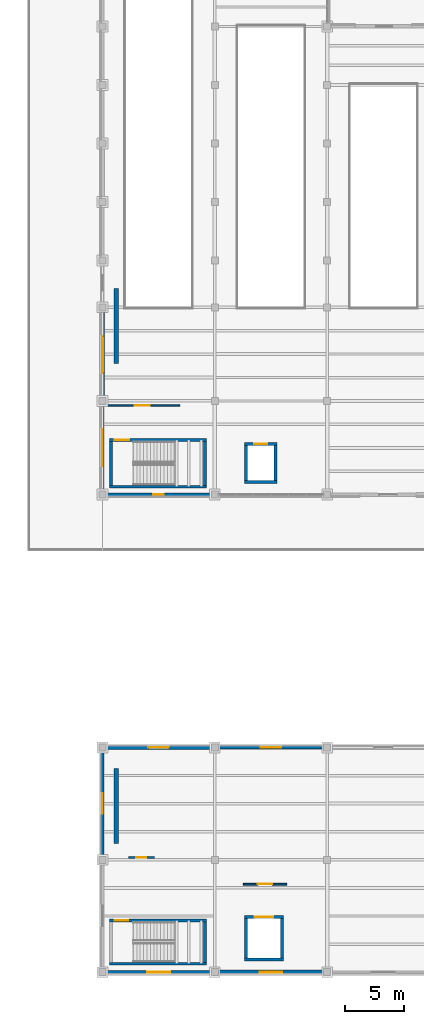
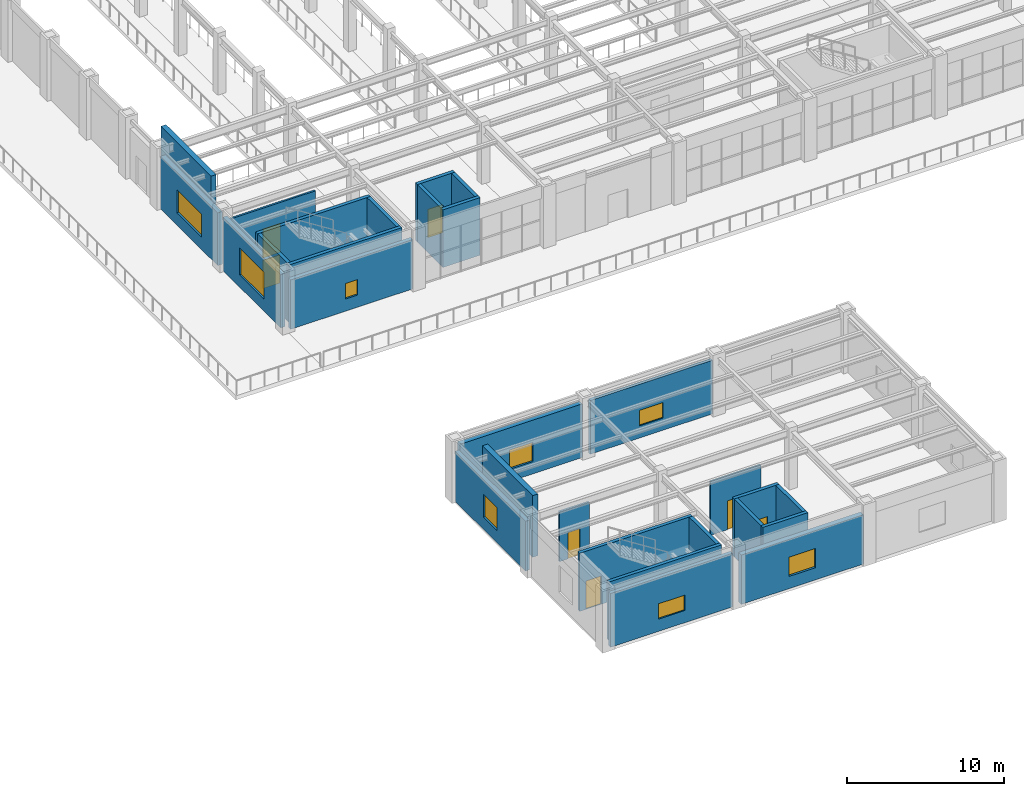
# One storey, part 58 of 83: 28 walls, 8 windows, 7 doors, 15 openings.
"""IFC4 building model written with IfcOpenShell, lengths in metres."""

from ifc_helpers import new_model, si_unit, direction, frame, frame_2d, origin, place, context, subcontext, project, spatial, rectangle, extrude, material, layer, layer_set, type_object, element, fill, save


model = new_model("IFC4")

# Units and contexts
model_context = context("Model", 3, precision=1e-05, world=origin(), true_north=direction((0.0, 1.0)))
body_context = subcontext(model_context, "Body", "Model", "MODEL_VIEW")
ifc_project = project(units=[si_unit("LENGTHUNIT", "METRE"), si_unit("AREAUNIT", "SQUARE_METRE"), si_unit("VOLUMEUNIT", "CUBIC_METRE"), si_unit("PLANEANGLEUNIT", "RADIAN"), si_unit("MASSUNIT", "GRAM", prefix="KILO")], contexts=[model_context])

# Site, building, storey
site_placement = place(None, origin())
site = spatial("IfcSite", under=ifc_project, at=site_placement, CompositionType="ELEMENT")
building_placement = place(site_placement, origin())
building = spatial("IfcBuilding", under=site, at=building_placement, Name="Mavantir Sound Aquarium", CompositionType="ELEMENT")
storey_placement = place(building_placement, frame((0.0, 0.0, 10.5)))
storey = spatial("IfcBuildingStorey", under=building, at=storey_placement, Name="L02", CompositionType="ELEMENT", Elevation=10.5)

# Wall, opening, window
ifc_material_1 = material(Name="Coral-Buff Architectural Precast Concrete C40/50", Category="concrete")
ifc_layer_1 = layer(ifc_material_1, 0.31005859375, Name="Coral-Buff Architectural Precast Concrete C40/50")
ifc_layer_set_1 = layer_set([ifc_layer_1], Name="Coral-Buff Architectural Precast Concrete C40/50")
wall_type_1 = type_object("IfcWallType", Name="EW-CORAL-310", PredefinedType="SOLIDWALL", material=ifc_layer_set_1)
wall_1_placement = place(storey_placement, frame((108.0, 48.491943359375, 0.0), z_axis=(0.0, 0.0, 1.0), x_axis=(0.0, -1.0, 0.0)))
wall_1 = element("IfcWall", 1, at=wall_1_placement, inside=storey, type_object=wall_type_1, Name="L02 exterior facade wall EW-02 272", PredefinedType="SOLIDWALL", context=body_context, shape_type="SweptSolid", body=[
    extrude(rectangle(XDim=7.384033203125, YDim=0.31005859375, at=frame_2d((3.69189453125, 0.0))), origin(), (0.0, 0.0, 1.0), 4.14599609375),
])
opening_1_placement = place(wall_1_placement, frame((2.116943359375, 0.0, 0.949951171875)))
opening_1 = element("IfcOpeningElement", 2, at=opening_1_placement, cuts=wall_1, Name="Opening W-48", PredefinedType="OPENING", context=body_context, shape_type="SweptSolid", body=[
    extrude(rectangle(XDim=3.14990234375, YDim=2.10009765625, at=frame_2d((1.574951171875, 1.050048828125))), frame((0.0, 0.1650390625, 0.0), z_axis=(0.0, -1.0, 0.0), x_axis=(1.0, 0.0, 0.0)), (0.0, 0.0, 1.0), 0.330078125),
])
ifc_material_2 = material(Name="Thermally Broken Aluminium and Low-E Glass", Category="aluminium")
window_type_1 = type_object("IfcWindowType", Name="WIN-EXT-48", PartitioningType="TRIPLE_PANEL_VERTICAL", PredefinedType="WINDOW", material=ifc_material_2)
window_1_placement = place(opening_1_placement, origin())
window_1 = element("IfcWindow", 3, at=window_1_placement, inside=storey, type_object=window_type_1, Name="L02 facade window W-48 96", OverallHeight=2.10009765625, OverallWidth=3.14990234375, PartitioningType="SINGLE_PANEL", PredefinedType="WINDOW", context=body_context, shape_type="SweptSolid", body=[
    extrude(rectangle(XDim=3.14990234375, YDim=2.10009765625, at=frame_2d((1.574951171875, 1.050048828125))), frame((0.0, 0.030029296875, 0.0), z_axis=(0.0, -1.0, 0.0), x_axis=(1.0, 0.0, 0.0)), (0.0, 0.0, 1.0), 0.06005859375),
])
fill(opening_1, window_1)

wall_2_placement = place(storey_placement, frame((108.0, 18.89208984375, 0.0), z_axis=(0.0, 0.0, 1.0), x_axis=(0.0, -1.0, 0.0)))
wall_2 = element("IfcWall", 4, at=wall_2_placement, inside=storey, type_object=wall_type_1, Name="L02 exterior facade wall EW-02 296", PredefinedType="SOLIDWALL", context=body_context, shape_type="SweptSolid", body=[
    extrude(rectangle(XDim=8.984130859375, YDim=0.31005859375, at=frame_2d((4.4921875, 0.0))), origin(), (0.0, 0.0, 1.0), 3.8740234375),
])
opening_2_placement = place(wall_2_placement, frame((3.616943359375, 0.0, 0.949951171875)))
opening_2 = element("IfcOpeningElement", 5, at=opening_2_placement, cuts=wall_2, Name="Opening W-19", PredefinedType="OPENING", context=body_context, shape_type="SweptSolid", body=[
    extrude(rectangle(XDim=1.75, YDim=1.800048828125, at=frame_2d((0.875, 0.89990234375))), frame((0.0, 0.1650390625, 0.0), z_axis=(0.0, -1.0, 0.0), x_axis=(1.0, 0.0, 0.0)), (0.0, 0.0, 1.0), 0.330078125),
])
window_type_2 = type_object("IfcWindowType", Name="WIN-EXT-19", PartitioningType="DOUBLE_PANEL_VERTICAL", PredefinedType="WINDOW", material=ifc_material_2)
window_2_placement = place(opening_2_placement, origin())
window_2 = element("IfcWindow", 6, at=window_2_placement, inside=storey, type_object=window_type_2, Name="L02 facade window W-19 115", OverallHeight=1.800048828125, OverallWidth=1.75, PartitioningType="SINGLE_PANEL", PredefinedType="WINDOW", context=body_context, shape_type="SweptSolid", body=[
    extrude(rectangle(XDim=1.75, YDim=1.800048828125, at=frame_2d((0.875, 0.89990234375))), frame((0.0, 0.030029296875, 0.0), z_axis=(0.0, -1.0, 0.0), x_axis=(1.0, 0.0, 0.0)), (0.0, 0.0, 1.0), 0.06005859375),
])
fill(opening_2, window_2)

ifc_layer_2 = layer(ifc_material_1, 0.340087890625, Name="Coral-Buff Architectural Precast Concrete C40/50")
ifc_layer_set_2 = layer_set([ifc_layer_2], Name="Coral-Buff Architectural Precast Concrete C40/50")
wall_type_2 = type_object("IfcWallType", Name="EW-CORAL-340", PredefinedType="SOLIDWALL", material=ifc_layer_set_2)
wall_3_placement = place(storey_placement, frame((108.0, 56.39501953125, 0.0), z_axis=(0.0, 0.0, 1.0), x_axis=(0.0, -1.0, 0.0)))
wall_3 = element("IfcWall", 7, at=wall_3_placement, inside=storey, type_object=wall_type_2, Name="L02 exterior facade wall EW-01 271", PredefinedType="SOLIDWALL", context=body_context, shape_type="SweptSolid", body=[
    extrude(rectangle(XDim=7.287109375, YDim=0.340087890625, at=frame_2d((3.6435546875, 0.0))), origin(), (0.0, 0.0, 1.0), 4.10302734375),
])
opening_3_placement = place(wall_3_placement, frame((2.068603515625, 0.0, 0.949951171875)))
opening_3 = element("IfcOpeningElement", 8, at=opening_3_placement, cuts=wall_3, Name="Opening W-47", PredefinedType="OPENING", context=body_context, shape_type="SweptSolid", body=[
    extrude(rectangle(XDim=3.14990234375, YDim=1.800048828125, at=frame_2d((1.574951171875, 0.89990234375))), frame((0.0, 0.18017578125, 0.0), z_axis=(0.0, -1.0, 0.0), x_axis=(1.0, 0.0, 0.0)), (0.0, 0.0, 1.0), 0.360107421875),
])
window_type_3 = type_object("IfcWindowType", Name="WIN-EXT-47", PartitioningType="TRIPLE_PANEL_VERTICAL", PredefinedType="WINDOW", material=ifc_material_2)
window_3_placement = place(opening_3_placement, origin())
window_3 = element("IfcWindow", 9, at=window_3_placement, inside=storey, type_object=window_type_3, Name="L02 facade window W-47 95", OverallHeight=1.800048828125, OverallWidth=3.14990234375, PartitioningType="SINGLE_PANEL", PredefinedType="WINDOW", context=body_context, shape_type="SweptSolid", body=[
    extrude(rectangle(XDim=3.14990234375, YDim=1.800048828125, at=frame_2d((1.574951171875, 0.89990234375))), frame((0.0, 0.030029296875, 0.0), z_axis=(0.0, -1.0, 0.0), x_axis=(1.0, 0.0, 0.0)), (0.0, 0.0, 1.0), 0.06005859375),
])
fill(opening_3, window_3)

wall_4_placement = place(storey_placement, frame((117.2919921875, 19.199951171875, 0.0), z_axis=(0.0, 0.0, 1.0), x_axis=(-1.0, 0.0, 0.0)))
wall_4 = element("IfcWall", 10, at=wall_4_placement, inside=storey, type_object=wall_type_2, Name="L02 exterior facade wall EW-01 295", PredefinedType="SOLIDWALL", context=body_context, shape_type="SweptSolid", body=[
    extrude(rectangle(XDim=8.98388671875, YDim=0.340087890625, at=frame_2d((4.491943359375, 0.0))), origin(), (0.0, 0.0, 1.0), 4.177978515625),
])
opening_4_placement = place(wall_4_placement, frame((3.616943359375, 0.0, 0.949951171875)))
opening_4 = element("IfcOpeningElement", 11, at=opening_4_placement, cuts=wall_4, Name="Opening W-18", PredefinedType="OPENING", context=body_context, shape_type="SweptSolid", body=[
    extrude(rectangle(XDim=1.75, YDim=1.5, at=frame_2d((0.875, 0.75))), frame((0.0, 0.18017578125, 0.0), z_axis=(0.0, -1.0, 0.0), x_axis=(1.0, 0.0, 0.0)), (0.0, 0.0, 1.0), 0.360107421875),
])
window_type_4 = type_object("IfcWindowType", Name="WIN-EXT-18", PartitioningType="DOUBLE_PANEL_VERTICAL", PredefinedType="WINDOW", material=ifc_material_2)
window_4_placement = place(opening_4_placement, origin())
window_4 = element("IfcWindow", 12, at=window_4_placement, inside=storey, type_object=window_type_4, Name="L02 facade window W-18 114", OverallHeight=1.5, OverallWidth=1.75, PartitioningType="SINGLE_PANEL", PredefinedType="WINDOW", context=body_context, shape_type="SweptSolid", body=[
    extrude(rectangle(XDim=1.75, YDim=1.5, at=frame_2d((0.875, 0.75))), frame((0.0, 0.030029296875, 0.0), z_axis=(0.0, -1.0, 0.0), x_axis=(1.0, 0.0, 0.0)), (0.0, 0.0, 1.0), 0.06005859375),
])
fill(opening_4, window_4)

ifc_material_3 = material(Name="Architectural Precast Concrete C40/50", Category="concrete")
ifc_layer_3 = layer(ifc_material_3, 0.239990234375, Name="Architectural Precast Concrete C40/50")
ifc_layer_set_3 = layer_set([ifc_layer_3], Name="Architectural Precast Concrete C40/50")
wall_type_3 = type_object("IfcWallType", Name="EW-PRE-240", PredefinedType="SOLIDWALL", material=ifc_layer_set_3)
wall_5_placement = place(storey_placement, frame((126.89208984375, 19.199951171875, 0.0), z_axis=(0.0, 0.0, 1.0), x_axis=(-1.0, 0.0, 0.0)))
wall_5 = element("IfcWall", 13, at=wall_5_placement, inside=storey, type_object=wall_type_3, Name="L02 exterior facade wall EW-06 294", PredefinedType="SOLIDWALL", context=body_context, shape_type="SweptSolid", body=[
    extrude(rectangle(XDim=8.984130859375, YDim=0.239990234375, at=frame_2d((4.4921875, 0.0))), origin(), (0.0, 0.0, 1.0), 4.177978515625),
])
opening_5_placement = place(wall_5_placement, frame((3.616943359375, 0.0, 0.949951171875)))
opening_5 = element("IfcOpeningElement", 14, at=opening_5_placement, cuts=wall_5, Name="Opening W-17", PredefinedType="OPENING", context=body_context, shape_type="SweptSolid", body=[
    extrude(rectangle(XDim=1.75, YDim=1.199951171875, at=frame_2d((0.875, 0.60009765625))), frame((0.0, 0.1298828125, 0.0), z_axis=(0.0, -1.0, 0.0), x_axis=(1.0, 0.0, 0.0)), (0.0, 0.0, 1.0), 0.260009765625),
])
window_type_5 = type_object("IfcWindowType", Name="WIN-EXT-17", PartitioningType="DOUBLE_PANEL_VERTICAL", PredefinedType="WINDOW", material=ifc_material_2)
window_5_placement = place(opening_5_placement, origin())
window_5 = element("IfcWindow", 15, at=window_5_placement, inside=storey, type_object=window_type_5, Name="L02 facade window W-17 113", OverallHeight=1.199951171875, OverallWidth=1.75, PartitioningType="SINGLE_PANEL", PredefinedType="WINDOW", context=body_context, shape_type="SweptSolid", body=[
    extrude(rectangle(XDim=1.75, YDim=1.199951171875, at=frame_2d((0.875, 0.60009765625))), frame((0.0, 0.030029296875, 0.0), z_axis=(0.0, -1.0, 0.0), x_axis=(1.0, 0.0, 0.0)), (0.0, 0.0, 1.0), 0.06005859375),
])
fill(opening_5, window_5)

ifc_layer_4 = layer(ifc_material_1, 0.360107421875, Name="Coral-Buff Architectural Precast Concrete C40/50")
ifc_layer_set_4 = layer_set([ifc_layer_4], Name="Coral-Buff Architectural Precast Concrete C40/50")
wall_type_4 = type_object("IfcWallType", Name="EW-PRE-360", PredefinedType="SOLIDWALL", material=ifc_layer_set_4)
wall_6_placement = place(storey_placement, frame((117.907958984375, 0.0, 0.0), z_axis=(0.0, 0.0, 1.0), x_axis=(1.0, 0.0, 0.0)))
wall_6 = element("IfcWall", 16, at=wall_6_placement, inside=storey, type_object=wall_type_4, Name="L02 exterior facade wall EW-05 299", PredefinedType="SOLIDWALL", context=body_context, shape_type="SweptSolid", body=[
    extrude(rectangle(XDim=8.984130859375, YDim=0.360107421875, at=frame_2d((4.4921875, 0.0))), origin(), (0.0, 0.0, 1.0), 3.8349609375),
])
opening_6_placement = place(wall_6_placement, frame((3.51708984375, 0.0, 0.949951171875)))
opening_6 = element("IfcOpeningElement", 17, at=opening_6_placement, cuts=wall_6, Name="Opening W-22", PredefinedType="OPENING", context=body_context, shape_type="SweptSolid", body=[
    extrude(rectangle(XDim=1.949951171875, YDim=1.5, at=frame_2d((0.97509765625, 0.75))), frame((0.0, 0.18994140625, 0.0), z_axis=(0.0, -1.0, 0.0), x_axis=(1.0, 0.0, 0.0)), (0.0, 0.0, 1.0), 0.380126953125),
])
window_type_6 = type_object("IfcWindowType", Name="WIN-EXT-22", PartitioningType="DOUBLE_PANEL_VERTICAL", PredefinedType="WINDOW", material=ifc_material_2)
window_6_placement = place(opening_6_placement, origin())
window_6 = element("IfcWindow", 18, at=window_6_placement, inside=storey, type_object=window_type_6, Name="L02 facade window W-22 118", OverallHeight=1.5, OverallWidth=1.949951171875, PartitioningType="SINGLE_PANEL", PredefinedType="WINDOW", context=body_context, shape_type="SweptSolid", body=[
    extrude(rectangle(XDim=1.949951171875, YDim=1.5, at=frame_2d((0.97509765625, 0.75))), frame((0.0, 0.030029296875, 0.0), z_axis=(0.0, -1.0, 0.0), x_axis=(1.0, 0.0, 0.0)), (0.0, 0.0, 1.0), 0.06005859375),
])
fill(opening_6, window_6)

ifc_material_4 = material(Name="Cerulean Glazed Terracotta Rainscreen on Concrete C40/50", Category="masonry")
ifc_layer_5 = layer(ifc_material_4, 0.27001953125, Name="Cerulean Glazed Terracotta Rainscreen on Concrete C40/50")
ifc_layer_set_5 = layer_set([ifc_layer_5], Name="Cerulean Glazed Terracotta Rainscreen on Concrete C40/50")
wall_type_5 = type_object("IfcWallType", Name="EW-TERRA-270", PredefinedType="SOLIDWALL", material=ifc_layer_set_5)
wall_7_placement = place(storey_placement, frame((108.30810546875, 0.0, 0.0), z_axis=(0.0, 0.0, 1.0), x_axis=(1.0, 0.0, 0.0)))
wall_7 = element("IfcWall", 19, at=wall_7_placement, inside=storey, type_object=wall_type_5, Name="L02 exterior facade wall EW-04 298", PredefinedType="SOLIDWALL", context=body_context, shape_type="SweptSolid", body=[
    extrude(rectangle(XDim=8.98388671875, YDim=0.27001953125, at=frame_2d((4.491943359375, 0.0))), origin(), (0.0, 0.0, 1.0), 4.177978515625),
])
opening_7_placement = place(wall_7_placement, frame((3.51708984375, 0.0, 0.949951171875)))
opening_7 = element("IfcOpeningElement", 20, at=opening_7_placement, cuts=wall_7, Name="Opening W-21", PredefinedType="OPENING", context=body_context, shape_type="SweptSolid", body=[
    extrude(rectangle(XDim=1.949951171875, YDim=1.199951171875, at=frame_2d((0.97509765625, 0.60009765625))), frame((0.0, 0.14501953125, 0.0), z_axis=(0.0, -1.0, 0.0), x_axis=(1.0, 0.0, 0.0)), (0.0, 0.0, 1.0), 0.2900390625),
])
window_type_7 = type_object("IfcWindowType", Name="WIN-EXT-21", PartitioningType="DOUBLE_PANEL_VERTICAL", PredefinedType="WINDOW", material=ifc_material_2)
window_7_placement = place(opening_7_placement, origin())
window_7 = element("IfcWindow", 21, at=window_7_placement, inside=storey, type_object=window_type_7, Name="L02 facade window W-21 117", OverallHeight=1.199951171875, OverallWidth=1.949951171875, PartitioningType="SINGLE_PANEL", PredefinedType="WINDOW", context=body_context, shape_type="SweptSolid", body=[
    extrude(rectangle(XDim=1.949951171875, YDim=1.199951171875, at=frame_2d((0.97509765625, 0.60009765625))), frame((0.0, 0.030029296875, 0.0), z_axis=(0.0, -1.0, 0.0), x_axis=(1.0, 0.0, 0.0)), (0.0, 0.0, 1.0), 0.06005859375),
])
fill(opening_7, window_7)

ifc_material_5 = material(Name="Turquoise Glazed Terracotta Rainscreen on Concrete C40/50", Category="masonry")
ifc_layer_6 = layer(ifc_material_5, 0.2900390625, Name="Turquoise Glazed Terracotta Rainscreen on Concrete C40/50")
ifc_layer_set_6 = layer_set([ifc_layer_6], Name="Turquoise Glazed Terracotta Rainscreen on Concrete C40/50")
wall_type_6 = type_object("IfcWallType", Name="EW-TERRA-290", PredefinedType="SOLIDWALL", material=ifc_layer_set_6)
wall_8_placement = place(storey_placement, frame((108.30810546875, 40.800048828125, 0.0), z_axis=(0.0, 0.0, 1.0), x_axis=(1.0, 0.0, 0.0)))
wall_8 = element("IfcWall", 22, at=wall_8_placement, inside=storey, type_object=wall_type_6, Name="L02 exterior facade wall EW-03 273", PredefinedType="SOLIDWALL", context=body_context, shape_type="SweptSolid", body=[
    extrude(rectangle(XDim=8.98388671875, YDim=0.2900390625, at=frame_2d((4.491943359375, 0.0))), origin(), (0.0, 0.0, 1.0), 3.844970703125),
])
opening_8_placement = place(wall_8_placement, frame((4.0419921875, 0.0, 0.949951171875)))
opening_8 = element("IfcOpeningElement", 23, at=opening_8_placement, cuts=wall_8, Name="Opening W-01", PredefinedType="OPENING", context=body_context, shape_type="SweptSolid", body=[
    extrude(rectangle(XDim=0.89990234375, YDim=1.199951171875, at=frame_2d((0.449951171875, 0.60009765625))), frame((0.0, 0.155029296875, 0.0), z_axis=(0.0, -1.0, 0.0), x_axis=(1.0, 0.0, 0.0)), (0.0, 0.0, 1.0), 0.31005859375),
])
window_type_8 = type_object("IfcWindowType", Name="WIN-EXT-01", PartitioningType="SINGLE_PANEL", PredefinedType="WINDOW", material=ifc_material_2)
window_8_placement = place(opening_8_placement, origin())
window_8 = element("IfcWindow", 24, at=window_8_placement, inside=storey, type_object=window_type_8, Name="L02 facade window W-01 97", OverallHeight=1.199951171875, OverallWidth=0.89990234375, PartitioningType="SINGLE_PANEL", PredefinedType="WINDOW", context=body_context, shape_type="SweptSolid", body=[
    extrude(rectangle(XDim=0.89990234375, YDim=1.199951171875, at=frame_2d((0.449951171875, 0.60009765625))), frame((0.0, 0.030029296875, 0.0), z_axis=(0.0, -1.0, 0.0), x_axis=(1.0, 0.0, 0.0)), (0.0, 0.0, 1.0), 0.06005859375),
])
fill(opening_8, window_8)

# Wall, opening, door
ifc_material_6 = material(Name="Moisture-Resistant Marine Gypsum Partition", Category="gypsum")
ifc_layer_7 = layer(ifc_material_6, 0.139892578125, Name="Moisture-Resistant Marine Gypsum Partition")
ifc_layer_set_7 = layer_set([ifc_layer_7], Name="Moisture-Resistant Marine Gypsum Partition")
wall_type_7 = type_object("IfcWallType", Name="IW-PART-140", PredefinedType="PARTITIONING", material=ifc_layer_set_7)
wall_9_placement = place(storey_placement, frame((110.239990234375, 9.800048828125, 0.0), z_axis=(0.0, 0.0, 1.0), x_axis=(1.0, 0.0, 0.0)))
wall_9 = element("IfcWall", 25, at=wall_9_placement, inside=storey, type_object=wall_type_7, Name="L02 service riser enclosure 4", PredefinedType="PARTITIONING", context=body_context, shape_type="SweptSolid", body=[
    extrude(rectangle(XDim=2.199951171875, YDim=0.139892578125, at=frame_2d((1.10009765625, 0.0))), origin(), (0.0, 0.0, 1.0), 3.8740234375),
])
opening_9_placement = place(wall_9_placement, frame((0.64990234375, 0.0, 0.0)))
opening_9 = element("IfcOpeningElement", 26, at=opening_9_placement, cuts=wall_9, Name="Opening TD-01", PredefinedType="OPENING", context=body_context, shape_type="SweptSolid", body=[
    extrude(rectangle(XDim=0.85009765625, YDim=2.050048828125, at=frame_2d((0.425048828125, 1.02490234375))), frame((0.0, 0.080078125, 0.0), z_axis=(0.0, -1.0, 0.0), x_axis=(1.0, 0.0, 0.0)), (0.0, 0.0, 1.0), 0.159912109375),
])
ifc_material_7 = material(Name="Powder-Coated Steel Riser Access Door", Category="steel")
door_type_1 = type_object("IfcDoorType", Name="DR-TRAP-85", OperationType="NOTDEFINED", PredefinedType="TRAPDOOR", material=ifc_material_7)
door_1_placement = place(opening_9_placement, origin())
door_1 = element("IfcDoor", 27, at=door_1_placement, inside=storey, type_object=door_type_1, Name="L02 riser inspection trapdoor 4", OperationType="SINGLE_SWING_RIGHT", OverallHeight=2.050048828125, OverallWidth=0.85009765625, PredefinedType="TRAPDOOR", context=body_context, shape_type="SweptSolid", body=[
    extrude(rectangle(XDim=0.85009765625, YDim=2.050048828125, at=frame_2d((0.425048828125, 1.02490234375))), frame((0.0, 0.02490234375, 0.0), z_axis=(0.0, -1.0, 0.0), x_axis=(1.0, 0.0, 0.0)), (0.0, 0.0, 1.0), 0.050048828125),
])
fill(opening_9, door_1)

wall_10_placement = place(storey_placement, frame((108.198486328125, 48.425048828125, 0.0), z_axis=(0.0, 0.0, 1.0), x_axis=(1.0, 0.0, 0.0)))
wall_10 = element("IfcWall", 28, at=wall_10_placement, inside=storey, type_object=wall_type_7, Name="L02 Orinoco Plume Scalloped Exhibit Gallery entry partition", PredefinedType="PARTITIONING", context=body_context, shape_type="SweptSolid", body=[
    extrude(rectangle(XDim=6.39990234375, YDim=0.139892578125, at=frame_2d((3.199951171875, 0.0))), origin(), (0.0, 0.0, 1.0), 3.912109375),
])
opening_10_placement = place(wall_10_placement, frame((2.56005859375, 0.0, 0.0)))
opening_10 = element("IfcOpeningElement", 29, at=opening_10_placement, cuts=wall_10, Name="Opening ID-10", PredefinedType="OPENING", context=body_context, shape_type="SweptSolid", body=[
    extrude(rectangle(XDim=1.280029296875, YDim=2.25, at=frame_2d((0.64013671875, 1.125))), frame((0.0, 0.080078125, 0.0), z_axis=(0.0, -1.0, 0.0), x_axis=(1.0, 0.0, 0.0)), (0.0, 0.0, 1.0), 0.159912109375),
])
ifc_material_8 = material(Name="Solid-Core Marine Hardwood and Vision-Panel Door", Category="wood")
door_type_2 = type_object("IfcDoorType", Name="DR-INT-10", OperationType="NOTDEFINED", PredefinedType="DOOR", material=ifc_material_8)
door_2_placement = place(opening_10_placement, origin())
door_2 = element("IfcDoor", 30, at=door_2_placement, inside=storey, type_object=door_type_2, Name="Orinoco Plume Scalloped Exhibit Gallery door", OperationType="SINGLE_SWING_LEFT", OverallHeight=2.25, OverallWidth=1.280029296875, PredefinedType="DOOR", context=body_context, shape_type="SweptSolid", body=[
    extrude(rectangle(XDim=1.280029296875, YDim=2.25, at=frame_2d((0.64013671875, 1.125))), frame((0.0, 0.02490234375, 0.0), z_axis=(0.0, -1.0, 0.0), x_axis=(1.0, 0.0, 0.0)), (0.0, 0.0, 1.0), 0.050048828125),
])
fill(opening_10, door_2)

ifc_layer_8 = layer(ifc_material_6, 0.14990234375, Name="Moisture-Resistant Marine Gypsum Partition")
ifc_layer_set_8 = layer_set([ifc_layer_8], Name="Moisture-Resistant Marine Gypsum Partition")
wall_type_8 = type_object("IfcWallType", Name="IW-PART-150", PredefinedType="PARTITIONING", material=ifc_layer_set_8)
wall_11_placement = place(storey_placement, frame((120.050048828125, 7.52490234375, 0.0), z_axis=(0.0, 0.0, 1.0), x_axis=(1.0, 0.0, 0.0)))
wall_11 = element("IfcWall", 31, at=wall_11_placement, inside=storey, type_object=wall_type_8, Name="L02 Life Support Header Tanks and Tropical Dehumidification Plant entry partition", PredefinedType="PARTITIONING", context=body_context, shape_type="SweptSolid", body=[
    extrude(rectangle(XDim=3.699951171875, YDim=0.14990234375, at=frame_2d((1.85009765625, 0.0))), origin(), (0.0, 0.0, 1.0), 4.176025390625),
])
opening_11_placement = place(wall_11_placement, frame((1.239990234375, 0.0, 0.0)))
opening_11 = element("IfcOpeningElement", 32, at=opening_11_placement, cuts=wall_11, Name="Opening ID-09", PredefinedType="OPENING", context=body_context, shape_type="SweptSolid", body=[
    extrude(rectangle(XDim=1.219970703125, YDim=2.25, at=frame_2d((0.60986328125, 1.125))), frame((0.0, 0.0849609375, 0.0), z_axis=(0.0, -1.0, 0.0), x_axis=(1.0, 0.0, 0.0)), (0.0, 0.0, 1.0), 0.169921875),
])
door_type_3 = type_object("IfcDoorType", Name="DR-INT-09", OperationType="NOTDEFINED", PredefinedType="DOOR", material=ifc_material_8)
door_3_placement = place(opening_11_placement, origin())
door_3 = element("IfcDoor", 33, at=door_3_placement, inside=storey, type_object=door_type_3, Name="Life Support Header Tanks and Tropical Dehumidification Plant door", OperationType="SINGLE_SWING_LEFT", OverallHeight=2.25, OverallWidth=1.219970703125, PredefinedType="DOOR", context=body_context, shape_type="SweptSolid", body=[
    extrude(rectangle(XDim=1.219970703125, YDim=2.25, at=frame_2d((0.60986328125, 1.125))), frame((0.0, 0.02490234375, 0.0), z_axis=(0.0, -1.0, 0.0), x_axis=(1.0, 0.0, 0.0)), (0.0, 0.0, 1.0), 0.050048828125),
])
fill(opening_11, door_3)

# Wall
ifc_material_9 = material(Name="Concrete C40/50", Category="concrete")
ifc_layer_9 = layer(ifc_material_9, 0.25, Name="Concrete C40/50")
ifc_layer_set_9 = layer_set([ifc_layer_9], Name="Concrete C40/50")
wall_type_9 = type_object("IfcWallType", Name="IW-SHAFT-250", PredefinedType="SHEAR", material=ifc_layer_set_9)
wall_12_placement = place(storey_placement, frame((108.60009765625, 41.47509765625, 0.0), z_axis=(0.0, 0.0, 1.0), x_axis=(1.0, 0.0, 0.0)))
element("IfcWall", 34, at=wall_12_placement, inside=storey, type_object=wall_type_9, Name="L02 stair ST4 shaft wall S", PredefinedType="SHEAR", context=body_context, shape_type="SweptSolid", body=[
    extrude(rectangle(XDim=8.2998046875, YDim=0.25, at=frame_2d((4.14990234375, 0.0))), origin(), (0.0, 0.0, 1.0), 4.489990234375),
])

# Wall, opening, door
wall_13_placement = place(storey_placement, frame((116.89990234375, 45.47509765625, 0.0), z_axis=(0.0, 0.0, 1.0), x_axis=(-1.0, 0.0, 0.0)))
wall_13 = element("IfcWall", 35, at=wall_13_placement, inside=storey, type_object=wall_type_9, Name="L02 stair ST4 shaft wall N", PredefinedType="SHEAR", context=body_context, shape_type="SweptSolid", body=[
    extrude(rectangle(XDim=8.2998046875, YDim=0.25, at=frame_2d((4.14990234375, 0.0))), origin(), (0.0, 0.0, 1.0), 4.489990234375),
])
opening_12_placement = place(wall_13_placement, frame((7.85009765625, 0.0, 0.0), z_axis=(0.0, 0.0, 1.0), x_axis=(-1.0, 0.0, 0.0)))
opening_12 = element("IfcOpeningElement", 36, at=opening_12_placement, cuts=wall_13, Name="Opening SD-01", PredefinedType="OPENING", context=body_context, shape_type="SweptSolid", body=[
    extrude(rectangle(XDim=1.25, YDim=2.199951171875, at=frame_2d((0.625, 1.10009765625))), frame((0.0, 0.135009765625, 0.0), z_axis=(0.0, -1.0, 0.0), x_axis=(1.0, 0.0, 0.0)), (0.0, 0.0, 1.0), 0.27001953125),
])
ifc_material_10 = material(Name="Fire-Rated Steel Acoustic Door Leaf", Category="steel")
door_type_4 = type_object("IfcDoorType", Name="DR-ST-125", OperationType="NOTDEFINED", PredefinedType="DOOR", material=ifc_material_10)
door_4_placement = place(opening_12_placement, origin())
door_4 = element("IfcDoor", 37, at=door_4_placement, inside=storey, type_object=door_type_4, Name="L02 protected exit stair ST4 door", OperationType="SINGLE_SWING_LEFT", OverallHeight=2.199951171875, OverallWidth=1.25, PredefinedType="DOOR", context=body_context, shape_type="SweptSolid", body=[
    extrude(rectangle(XDim=1.25, YDim=2.199951171875, at=frame_2d((0.625, 1.10009765625))), frame((0.0, 0.02490234375, 0.0), z_axis=(0.0, -1.0, 0.0), x_axis=(1.0, 0.0, 0.0)), (0.0, 0.0, 1.0), 0.050048828125),
])
fill(opening_12, door_4)

# Walls
for number, where, z_axis, x_axis, name in (
    (38, (108.72509765625, 45.35009765625, 0.0), (0.0, 0.0, 1.0), (0.0, -1.0, 0.0), "L02 stair ST4 shaft wall W"),
    (39, (116.77490234375, 41.60009765625, 0.0), (0.0, 0.0, 1.0), (0.0, 1.0, 0.0), "L02 stair ST4 shaft wall E"),
):
    element("IfcWall", number, at=place(storey_placement, frame(where, z_axis=z_axis, x_axis=x_axis)), inside=storey, type_object=wall_type_9, Name=name, PredefinedType="SHEAR", context=body_context, shape_type="SweptSolid", body=[
        extrude(rectangle(XDim=3.75, YDim=0.25, at=frame_2d((1.875, 0.0))), origin(), (0.0, 0.0, 1.0), 4.489990234375),
    ])
wall_14_placement = place(storey_placement, frame((108.60009765625, 0.72509765625, 0.0), z_axis=(0.0, 0.0, 1.0), x_axis=(1.0, 0.0, 0.0)))
element("IfcWall", 40, at=wall_14_placement, inside=storey, type_object=wall_type_9, Name="L02 stair ST6 shaft wall S", PredefinedType="SHEAR", context=body_context, shape_type="SweptSolid", body=[
    extrude(rectangle(XDim=8.2998046875, YDim=0.25, at=frame_2d((4.14990234375, 0.0))), origin(), (0.0, 0.0, 1.0), 4.52001953125),
])

# Wall, opening, door
wall_15_placement = place(storey_placement, frame((116.89990234375, 4.425048828125, 0.0), z_axis=(0.0, 0.0, 1.0), x_axis=(-1.0, 0.0, 0.0)))
wall_15 = element("IfcWall", 41, at=wall_15_placement, inside=storey, type_object=wall_type_9, Name="L02 stair ST6 shaft wall N", PredefinedType="SHEAR", context=body_context, shape_type="SweptSolid", body=[
    extrude(rectangle(XDim=8.2998046875, YDim=0.25, at=frame_2d((4.14990234375, 0.0))), origin(), (0.0, 0.0, 1.0), 4.52001953125),
])
opening_13_placement = place(wall_15_placement, frame((7.849853515625, 0.0, 0.0), z_axis=(0.0, 0.0, 1.0), x_axis=(-1.0, 0.0, 0.0)))
opening_13 = element("IfcOpeningElement", 42, at=opening_13_placement, cuts=wall_15, Name="Opening SD-02", PredefinedType="OPENING", context=body_context, shape_type="SweptSolid", body=[
    extrude(rectangle(XDim=1.14990234375, YDim=2.199951171875, at=frame_2d((0.574951171875, 1.10009765625))), frame((0.0, 0.135009765625, 0.0), z_axis=(0.0, -1.0, 0.0), x_axis=(1.0, 0.0, 0.0)), (0.0, 0.0, 1.0), 0.27001953125),
])
door_type_5 = type_object("IfcDoorType", Name="DR-ST-115", OperationType="NOTDEFINED", PredefinedType="DOOR", material=ifc_material_10)
door_5_placement = place(opening_13_placement, origin())
door_5 = element("IfcDoor", 43, at=door_5_placement, inside=storey, type_object=door_type_5, Name="L02 protected exit stair ST6 door", OperationType="SINGLE_SWING_LEFT", OverallHeight=2.199951171875, OverallWidth=1.14990234375, PredefinedType="DOOR", context=body_context, shape_type="SweptSolid", body=[
    extrude(rectangle(XDim=1.14990234375, YDim=2.199951171875, at=frame_2d((0.574951171875, 1.10009765625))), frame((0.0, 0.02490234375, 0.0), z_axis=(0.0, -1.0, 0.0), x_axis=(1.0, 0.0, 0.0)), (0.0, 0.0, 1.0), 0.050048828125),
])
fill(opening_13, door_5)

# Walls
wall_16_placement = place(storey_placement, frame((116.77490234375, 0.85009765625, 0.0), z_axis=(0.0, 0.0, 1.0), x_axis=(0.0, 1.0, 0.0)))
element("IfcWall", 44, at=wall_16_placement, inside=storey, type_object=wall_type_9, Name="L02 stair ST6 shaft wall E", PredefinedType="SHEAR", context=body_context, shape_type="SweptSolid", body=[
    extrude(rectangle(XDim=3.449951171875, YDim=0.25, at=frame_2d((1.72509765625, 0.0))), origin(), (0.0, 0.0, 1.0), 4.52001953125),
])
wall_17_placement = place(storey_placement, frame((120.14990234375, 41.875, 0.0), z_axis=(0.0, 0.0, 1.0), x_axis=(1.0, 0.0, 0.0)))
element("IfcWall", 45, at=wall_17_placement, inside=storey, type_object=wall_type_9, Name="L02 lift LC4 shaft wall S", PredefinedType="SHEAR", context=body_context, shape_type="SweptSolid", body=[
    extrude(rectangle(XDim=2.75, YDim=0.25, at=frame_2d((1.375, 0.0))), origin(), (0.0, 0.0, 1.0), 4.489990234375),
])

# Wall, opening, door
wall_18_placement = place(storey_placement, frame((120.14990234375, 45.125, 0.0), z_axis=(0.0, 0.0, 1.0), x_axis=(1.0, 0.0, 0.0)))
wall_18 = element("IfcWall", 46, at=wall_18_placement, inside=storey, type_object=wall_type_9, Name="L02 lift LC4 shaft wall N", PredefinedType="SHEAR", context=body_context, shape_type="SweptSolid", body=[
    extrude(rectangle(XDim=2.75, YDim=0.25, at=frame_2d((1.375, 0.0))), origin(), (0.0, 0.0, 1.0), 4.489990234375),
])
opening_14_placement = place(wall_18_placement, frame((0.824951171875, 0.0, 0.0)))
opening_14 = element("IfcOpeningElement", 47, at=opening_14_placement, cuts=wall_18, Name="Opening LD-02", PredefinedType="OPENING", context=body_context, shape_type="SweptSolid", body=[
    extrude(rectangle(XDim=1.10009765625, YDim=2.199951171875, at=frame_2d((0.550048828125, 1.10009765625))), frame((0.0, 0.135009765625, 0.0), z_axis=(0.0, -1.0, 0.0), x_axis=(1.0, 0.0, 0.0)), (0.0, 0.0, 1.0), 0.27001953125),
])
ifc_material_11 = material(Name="Stainless Steel 316 Sliding Lift Landing Door", Category="steel")
door_type_6 = type_object("IfcDoorType", Name="DR-LD-110", OperationType="NOTDEFINED", PredefinedType="DOOR", material=ifc_material_11)
door_6_placement = place(opening_14_placement, origin())
door_6 = element("IfcDoor", 48, at=door_6_placement, inside=storey, type_object=door_type_6, Name="Lift LC4 sliding landing door (L02)", OperationType="DOUBLE_DOOR_SLIDING", OverallHeight=2.199951171875, OverallWidth=1.10009765625, PredefinedType="DOOR", context=body_context, shape_type="SweptSolid", body=[
    extrude(rectangle(XDim=1.10009765625, YDim=2.199951171875, at=frame_2d((0.550048828125, 1.10009765625))), frame((0.0, 0.02490234375, 0.0), z_axis=(0.0, -1.0, 0.0), x_axis=(1.0, 0.0, 0.0)), (0.0, 0.0, 1.0), 0.050048828125),
])
fill(opening_14, door_6)

# Walls
for number, where, z_axis, x_axis, name in (
    (49, (120.27490234375, 42.0, 0.0), (0.0, 0.0, 1.0), (0.0, 1.0, 0.0), "L02 lift LC4 shaft wall W"),
    (50, (122.77490234375, 42.0, 0.0), (0.0, 0.0, 1.0), (0.0, 1.0, 0.0), "L02 lift LC4 shaft wall E"),
):
    element("IfcWall", number, at=place(storey_placement, frame(where, z_axis=z_axis, x_axis=x_axis)), inside=storey, type_object=wall_type_9, Name=name, PredefinedType="SHEAR", context=body_context, shape_type="SweptSolid", body=[
        extrude(rectangle(XDim=3.0, YDim=0.25, at=frame_2d((1.5, 0.0))), origin(), (0.0, 0.0, 1.0), 4.489990234375),
    ])
wall_19_placement = place(storey_placement, frame((120.14990234375, 1.074951171875, 0.0), z_axis=(0.0, 0.0, 1.0), x_axis=(1.0, 0.0, 0.0)))
element("IfcWall", 51, at=wall_19_placement, inside=storey, type_object=wall_type_9, Name="L02 lift LC6 shaft wall S", PredefinedType="SHEAR", context=body_context, shape_type="SweptSolid", body=[
    extrude(rectangle(XDim=3.300048828125, YDim=0.25, at=frame_2d((1.64990234375, 0.0))), origin(), (0.0, 0.0, 1.0), 4.52001953125),
])

# Wall, opening, door
wall_20_placement = place(storey_placement, frame((120.14990234375, 4.72509765625, 0.0), z_axis=(0.0, 0.0, 1.0), x_axis=(1.0, 0.0, 0.0)))
wall_20 = element("IfcWall", 52, at=wall_20_placement, inside=storey, type_object=wall_type_9, Name="L02 lift LC6 shaft wall N", PredefinedType="SHEAR", context=body_context, shape_type="SweptSolid", body=[
    extrude(rectangle(XDim=3.300048828125, YDim=0.25, at=frame_2d((1.64990234375, 0.0))), origin(), (0.0, 0.0, 1.0), 4.52001953125),
])
opening_15_placement = place(wall_20_placement, frame((0.85009765625, 0.0, 0.0)))
opening_15 = element("IfcOpeningElement", 53, at=opening_15_placement, cuts=wall_20, Name="Opening LD-03", PredefinedType="OPENING", context=body_context, shape_type="SweptSolid", body=[
    extrude(rectangle(XDim=1.60009765625, YDim=2.300048828125, at=frame_2d((0.800048828125, 1.14990234375))), frame((0.0, 0.135009765625, 0.0), z_axis=(0.0, -1.0, 0.0), x_axis=(1.0, 0.0, 0.0)), (0.0, 0.0, 1.0), 0.27001953125),
])
ifc_material_12 = material(Name="Stainless Steel 316 Goods Lift Landing Door", Category="steel")
door_type_7 = type_object("IfcDoorType", Name="DR-LD-160", OperationType="NOTDEFINED", PredefinedType="DOOR", material=ifc_material_12)
door_7_placement = place(opening_15_placement, origin())
door_7 = element("IfcDoor", 54, at=door_7_placement, inside=storey, type_object=door_type_7, Name="Lift LC6 sliding landing door (L02)", OperationType="DOUBLE_DOOR_SLIDING", OverallHeight=2.300048828125, OverallWidth=1.60009765625, PredefinedType="DOOR", context=body_context, shape_type="SweptSolid", body=[
    extrude(rectangle(XDim=1.60009765625, YDim=2.300048828125, at=frame_2d((0.800048828125, 1.14990234375))), frame((0.0, 0.02490234375, 0.0), z_axis=(0.0, -1.0, 0.0), x_axis=(1.0, 0.0, 0.0)), (0.0, 0.0, 1.0), 0.050048828125),
])
fill(opening_15, door_7)

# Walls
for number, where, z_axis, x_axis, name in (
    (55, (120.27490234375, 1.199951171875, 0.0), (0.0, 0.0, 1.0), (0.0, 1.0, 0.0), "L02 lift LC6 shaft wall W"),
    (56, (123.324951171875, 1.199951171875, 0.0), (0.0, 0.0, 1.0), (0.0, 1.0, 0.0), "L02 lift LC6 shaft wall E"),
):
    element("IfcWall", number, at=place(storey_placement, frame(where, z_axis=z_axis, x_axis=x_axis)), inside=storey, type_object=wall_type_9, Name=name, PredefinedType="SHEAR", context=body_context, shape_type="SweptSolid", body=[
        extrude(rectangle(XDim=3.400146484375, YDim=0.25, at=frame_2d((1.7001953125, 0.0))), origin(), (0.0, 0.0, 1.0), 4.52001953125),
    ])
ifc_layer_10 = layer(ifc_material_9, 0.3798828125, Name="Concrete C40/50")
ifc_layer_set_10 = layer_set([ifc_layer_10], Name="Concrete C40/50")
wall_type_10 = type_object("IfcWallType", Name="SW-SHR-380", PredefinedType="SHEAR", material=ifc_layer_set_10)
for number, where, z_axis, x_axis, name in (
    (57, (109.199951171875, 52.0, 0.0), (0.0, 0.0, 1.0), (0.0, 1.0, 0.0), "L02 special RC shear wall 28 (V4)"),
    (58, (109.199951171875, 11.0, 0.0), (0.0, 0.0, 1.0), (0.0, 1.0, 0.0), "L02 special RC shear wall 42 (V6)"),
):
    element("IfcWall", number, at=place(storey_placement, frame(where, z_axis=z_axis, x_axis=x_axis)), inside=storey, type_object=wall_type_10, Name=name, PredefinedType="SHEAR", context=body_context, shape_type="SweptSolid", body=[
        extrude(rectangle(XDim=6.39990234375, YDim=0.3798828125, at=frame_2d((3.199951171875, 0.0))), origin(), (0.0, 0.0, 1.0), 4.800048828125),
    ])

save(model, "model.ifc")
